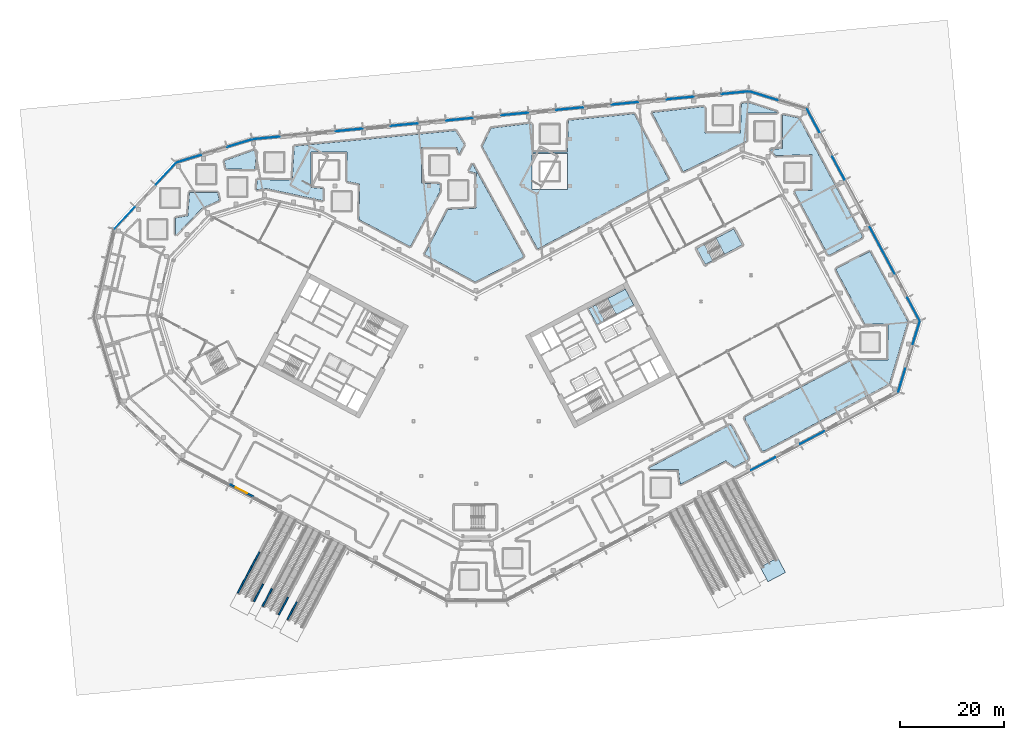
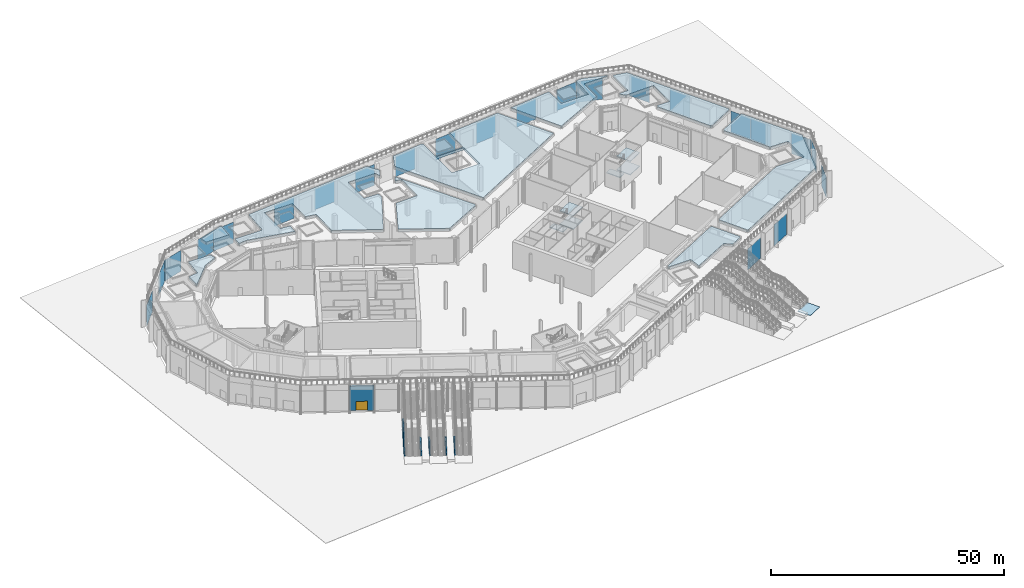
# One storey, part 13 of 57: 23 plates, 16 slabs, 14 walls, 1 door, 1 opening, 10 elements without a shape of their own.
"""IFC4 building model written with IfcOpenShell, lengths in metres."""

from ifc_helpers import new_model, si_unit, direction, frame, frame_2d, origin, origin_2d, place, context, subcontext, project, spatial, polyline, rectangle, outline, extrude, material, layer, layer_set, type_object, element, fill, aggregate, save


model = new_model("IFC4")

# Units and contexts
model_context = context("Model", 3, precision=1e-05, world=origin(), true_north=direction((0.0, 1.0)))
body_context = subcontext(model_context, "Body", "Model", "MODEL_VIEW")
ifc_project = project(units=[si_unit("LENGTHUNIT", "METRE"), si_unit("AREAUNIT", "SQUARE_METRE"), si_unit("VOLUMEUNIT", "CUBIC_METRE"), si_unit("PLANEANGLEUNIT", "RADIAN"), si_unit("MASSUNIT", "GRAM", prefix="KILO")], contexts=[model_context])

# Site, building, storey
site_placement = place(None, origin())
site = spatial("IfcSite", under=ifc_project, at=site_placement, CompositionType="ELEMENT")
building_placement = place(site_placement, origin())
building = spatial("IfcBuilding", under=site, at=building_placement, Name="Cormorant Relay Tower", CompositionType="ELEMENT")
storey_placement = place(building_placement, origin())
storey = spatial("IfcBuildingStorey", under=building, at=storey_placement, Name="L00", CompositionType="ELEMENT", Elevation=0.0)

# Curtain wall, plates
ifc_material_1 = material(Name="Aluminium 6063-T6 anodised bronze", Category="aluminium")
ifc_layer_1 = layer(ifc_material_1, 0.199951171875)
ifc_layer_set_1 = layer_set([ifc_layer_1], Name="CW2 base storefront")
curtain_wall_type = type_object("IfcCurtainWallType", Name="CW2 base storefront", PredefinedType="NOTDEFINED", material=ifc_layer_set_1)
curtain_wall_1_placement = place(storey_placement, origin())
curtain_wall_1 = element("IfcCurtainWall", 1, at=curtain_wall_1_placement, inside=storey, type_object=curtain_wall_type, Name="CW2 curtain wall 1", PredefinedType="NOTDEFINED")
ifc_material_2 = material(Name="Tinted laminated glass", Category="glass")
ifc_layer_2 = layer(ifc_material_2, 0.0400390625)
ifc_layer_set_2 = layer_set([ifc_layer_2], Name="CW2 tinted vision panel 5400 module")
plate_type = type_object("IfcPlateType", Name="CW2 tinted vision panel 5400 module", PredefinedType="CURTAIN_PANEL", material=ifc_layer_set_2)
plate_1_placement = place(storey_placement, frame((54.9765625, -8.166015625, 0.0), z_axis=(0.0, 0.0, 1.0), x_axis=(0.882947592859, 0.469471562786, 0.0)))
plate_1 = element("IfcPlate", 2, at=plate_1_placement, type_object=plate_type, Name="CW2 panel V10", PredefinedType="CURTAIN_PANEL", context=body_context, shape_type="SweptSolid", body=[
    extrude(rectangle(XDim=5.17041015625, YDim=0.0400390625, at=origin_2d()), origin(), (0.0, 0.0, 1.0), 5.5),
])
plate_2_placement = place(storey_placement, frame((64.3720703125, -3.17041015625, 0.0), z_axis=(0.0, 0.0, 1.0), x_axis=(0.882947592859, 0.469471562786, 0.0)))
plate_2 = element("IfcPlate", 3, at=plate_2_placement, type_object=plate_type, Name="CW2 panel V12", PredefinedType="CURTAIN_PANEL", context=body_context, shape_type="SweptSolid", body=[
    extrude(rectangle(XDim=5.17041015625, YDim=0.0400390625, at=origin_2d()), origin(), (0.0, 0.0, 1.0), 5.5),
])
aggregate(curtain_wall_1, [plate_1, plate_2])

curtain_wall_2_placement = place(storey_placement, origin())
curtain_wall_2 = element("IfcCurtainWall", 4, at=curtain_wall_2_placement, inside=storey, type_object=curtain_wall_type, Name="CW2 curtain wall 2", PredefinedType="NOTDEFINED")
plate_3_placement = place(storey_placement, frame((81.514892578125, 7.844482421875, 0.0), z_axis=(0.0, 0.0, 1.0), x_axis=(0.292371704723, 0.956304755963, 0.0)))
plate_3 = element("IfcPlate", 5, at=plate_3_placement, type_object=plate_type, Name="CW2 panel V00", PredefinedType="CURTAIN_PANEL", context=body_context, shape_type="SweptSolid", body=[
    extrude(rectangle(XDim=4.577880859375, YDim=0.0400390625, at=origin_2d()), origin(), (0.0, 0.0, 1.0), 5.5),
])
plate_4_placement = place(storey_placement, frame((84.29052734375, 16.923095703125, 0.0), z_axis=(0.0, 0.0, 1.0), x_axis=(0.292371704723, 0.956304755963, 0.0)))
plate_4 = element("IfcPlate", 6, at=plate_4_placement, type_object=plate_type, Name="CW2 panel V02", PredefinedType="CURTAIN_PANEL", context=body_context, shape_type="SweptSolid", body=[
    extrude(rectangle(XDim=4.65283203125, YDim=0.0400390625, at=origin_2d()), origin(), (0.0, 0.0, 1.0), 5.5),
])
aggregate(curtain_wall_2, [plate_3, plate_4])

curtain_wall_3_placement = place(storey_placement, origin())
curtain_wall_3 = element("IfcCurtainWall", 7, at=curtain_wall_3_placement, inside=storey, type_object=curtain_wall_type, Name="CW2 curtain wall 3", PredefinedType="NOTDEFINED")
plate_5_placement = place(storey_placement, frame((83.77099609375, 21.416748046875, 0.0), z_axis=(0.0, 0.0, 1.0), x_axis=(-0.469471562786, 0.882947592859, 0.0)))
plate_5 = element("IfcPlate", 8, at=plate_5_placement, type_object=plate_type, Name="CW2 panel V00", PredefinedType="CURTAIN_PANEL", context=body_context, shape_type="SweptSolid", body=[
    extrude(rectangle(XDim=4.95458984375, YDim=0.0400390625, at=origin_2d()), origin(), (0.0, 0.0, 1.0), 5.5),
])
plate_6_placement = place(storey_placement, frame((78.978271484375, 30.430908203125, 0.0), z_axis=(0.0, 0.0, 1.0), x_axis=(-0.469471562786, 0.882947592859, 0.0)))
plate_6 = element("IfcPlate", 9, at=plate_6_placement, type_object=plate_type, Name="CW2 panel V02", PredefinedType="CURTAIN_PANEL", context=body_context, shape_type="SweptSolid", body=[
    extrude(rectangle(XDim=4.95458984375, YDim=0.0400390625, at=origin_2d()), origin(), (0.0, 0.0, 1.0), 5.5),
])
plate_7_placement = place(storey_placement, frame((76.581787109375, 34.93798828125, 0.0), z_axis=(0.0, 0.0, 1.0), x_axis=(-0.469471562786, 0.882947592859, 0.0)))
plate_7 = element("IfcPlate", 10, at=plate_7_placement, type_object=plate_type, Name="CW2 panel V03", PredefinedType="CURTAIN_PANEL", context=body_context, shape_type="SweptSolid", body=[
    extrude(rectangle(XDim=4.95458984375, YDim=0.0400390625, at=origin_2d()), origin(), (0.0, 0.0, 1.0), 5.5),
])
plate_8_placement = place(storey_placement, frame((69.392333984375, 48.458984375, 0.0), z_axis=(0.0, 0.0, 1.0), x_axis=(-0.469471562786, 0.882947592859, 0.0)))
plate_8 = element("IfcPlate", 11, at=plate_8_placement, type_object=plate_type, Name="CW2 panel V06", PredefinedType="CURTAIN_PANEL", context=body_context, shape_type="SweptSolid", body=[
    extrude(rectangle(XDim=4.95458984375, YDim=0.0400390625, at=origin_2d()), origin(), (0.0, 0.0, 1.0), 5.5),
])
plate_9_placement = place(storey_placement, frame((64.581787109375, 57.50634765625, 0.0), z_axis=(0.0, 0.0, 1.0), x_axis=(-0.469471562786, 0.882947592859, 0.0)))
plate_9 = element("IfcPlate", 12, at=plate_9_placement, type_object=plate_type, Name="CW2 panel V08", PredefinedType="CURTAIN_PANEL", context=body_context, shape_type="SweptSolid", body=[
    extrude(rectangle(XDim=5.029541015625, YDim=0.0400390625, at=origin_2d()), origin(), (0.0, 0.0, 1.0), 5.5),
])
aggregate(curtain_wall_3, [plate_5, plate_6, plate_7, plate_8, plate_9])

# Curtain wall, plate
curtain_wall_4_placement = place(storey_placement, origin())
curtain_wall_4 = element("IfcCurtainWall", 13, at=curtain_wall_4_placement, inside=storey, type_object=curtain_wall_type, Name="CW2 curtain wall 4", PredefinedType="NOTDEFINED")
plate_10_placement = place(storey_placement, frame((55.033203125, 62.291259765625, 0.0), z_axis=(0.0, 0.0, 1.0), x_axis=(-0.956304755963, 0.292371704723, 0.0)))
plate_10 = element("IfcPlate", 14, at=plate_10_placement, type_object=plate_type, Name="CW2 panel V01", PredefinedType="CURTAIN_PANEL", context=body_context, shape_type="SweptSolid", body=[
    extrude(rectangle(XDim=5.725341796875, YDim=0.0400390625, at=origin_2d()), origin(), (0.0, 0.0, 1.0), 5.5),
])
aggregate(curtain_wall_4, [plate_10])

# Curtain wall, plates
curtain_wall_5_placement = place(storey_placement, origin())
curtain_wall_5 = element("IfcCurtainWall", 15, at=curtain_wall_5_placement, inside=storey, type_object=curtain_wall_type, Name="CW2 curtain wall 5", PredefinedType="NOTDEFINED")
plate_11_placement = place(storey_placement, frame((49.64599609375, 62.87451171875, 0.0), z_axis=(0.0, 0.0, 1.0), x_axis=(-0.995387160697, -0.095939565976, 0.0)))
plate_11 = element("IfcPlate", 16, at=plate_11_placement, type_object=plate_type, Name="CW2 panel V00", PredefinedType="CURTAIN_PANEL", context=body_context, shape_type="SweptSolid", body=[
    extrude(rectangle(XDim=5.158203125, YDim=0.0400390625, at=origin_2d()), origin(), (0.0, 0.0, 1.0), 5.5),
])
plate_12_placement = place(storey_placement, frame((39.078369140625, 61.85595703125, 0.0), z_axis=(0.0, 0.0, 1.0), x_axis=(-0.995387160697, -0.095939565976, 0.0)))
plate_12 = element("IfcPlate", 17, at=plate_12_placement, type_object=plate_type, Name="CW2 panel V02", PredefinedType="CURTAIN_PANEL", context=body_context, shape_type="SweptSolid", body=[
    extrude(rectangle(XDim=5.158203125, YDim=0.0400390625, at=origin_2d()), origin(), (0.0, 0.0, 1.0), 5.5),
])
plate_13_placement = place(storey_placement, frame((28.510498046875, 60.83740234375, 0.0), z_axis=(0.0, 0.0, 1.0), x_axis=(-0.995387160697, -0.095939565976, 0.0)))
plate_13 = element("IfcPlate", 18, at=plate_13_placement, type_object=plate_type, Name="CW2 panel V04", PredefinedType="CURTAIN_PANEL", context=body_context, shape_type="SweptSolid", body=[
    extrude(rectangle(XDim=5.158203125, YDim=0.0400390625, at=origin_2d()), origin(), (0.0, 0.0, 1.0), 5.5),
])
plate_14_placement = place(storey_placement, frame((17.943115234375, 59.81884765625, 0.0), z_axis=(0.0, 0.0, 1.0), x_axis=(-0.995387160697, -0.095939565976, 0.0)))
plate_14 = element("IfcPlate", 19, at=plate_14_placement, type_object=plate_type, Name="CW2 panel V06", PredefinedType="CURTAIN_PANEL", context=body_context, shape_type="SweptSolid", body=[
    extrude(rectangle(XDim=5.158203125, YDim=0.0400390625, at=origin_2d()), origin(), (0.0, 0.0, 1.0), 5.5),
])
plate_15_placement = place(storey_placement, frame((7.37548828125, 58.80029296875, 0.0), z_axis=(0.0, 0.0, 1.0), x_axis=(-0.995387160697, -0.095939565976, 0.0)))
plate_15 = element("IfcPlate", 20, at=plate_15_placement, type_object=plate_type, Name="CW2 panel V08", PredefinedType="CURTAIN_PANEL", context=body_context, shape_type="SweptSolid", body=[
    extrude(rectangle(XDim=5.158203125, YDim=0.0400390625, at=origin_2d()), origin(), (0.0, 0.0, 1.0), 5.5),
])
plate_16_placement = place(storey_placement, frame((-3.1923828125, 57.78173828125, 0.0), z_axis=(0.0, 0.0, 1.0), x_axis=(-0.995387160697, -0.095939565976, 0.0)))
plate_16 = element("IfcPlate", 21, at=plate_16_placement, type_object=plate_type, Name="CW2 panel V10", PredefinedType="CURTAIN_PANEL", context=body_context, shape_type="SweptSolid", body=[
    extrude(rectangle(XDim=5.158203125, YDim=0.0400390625, at=origin_2d()), origin(), (0.0, 0.0, 1.0), 5.5),
])
plate_17_placement = place(storey_placement, frame((-13.760009765625, 56.76318359375, 0.0), z_axis=(0.0, 0.0, 1.0), x_axis=(-0.995387160697, -0.095939565976, 0.0)))
plate_17 = element("IfcPlate", 22, at=plate_17_placement, type_object=plate_type, Name="CW2 panel V12", PredefinedType="CURTAIN_PANEL", context=body_context, shape_type="SweptSolid", body=[
    extrude(rectangle(XDim=5.158203125, YDim=0.0400390625, at=origin_2d()), origin(), (0.0, 0.0, 1.0), 5.5),
])
plate_18_placement = place(storey_placement, frame((-24.32763671875, 55.74462890625, 0.0), z_axis=(0.0, 0.0, 1.0), x_axis=(-0.995387160697, -0.095939565976, 0.0)))
plate_18 = element("IfcPlate", 23, at=plate_18_placement, type_object=plate_type, Name="CW2 panel V14", PredefinedType="CURTAIN_PANEL", context=body_context, shape_type="SweptSolid", body=[
    extrude(rectangle(XDim=5.158203125, YDim=0.0400390625, at=origin_2d()), origin(), (0.0, 0.0, 1.0), 5.5),
])
plate_19_placement = place(storey_placement, frame((-40.21630859375, 54.213134765625, 0.0), z_axis=(0.0, 0.0, 1.0), x_axis=(-0.995387160697, -0.095939565976, 0.0)))
plate_19 = element("IfcPlate", 24, at=plate_19_placement, type_object=plate_type, Name="CW2 panel V17", PredefinedType="CURTAIN_PANEL", context=body_context, shape_type="SweptSolid", body=[
    extrude(rectangle(XDim=5.2333984375, YDim=0.0400390625, at=origin_2d()), origin(), (0.0, 0.0, 1.0), 5.5),
])
aggregate(curtain_wall_5, [plate_11, plate_12, plate_13, plate_14, plate_15, plate_16, plate_17, plate_18, plate_19])

curtain_wall_6_placement = place(storey_placement, origin())
curtain_wall_6 = element("IfcCurtainWall", 25, at=curtain_wall_6_placement, inside=storey, type_object=curtain_wall_type, Name="CW2 curtain wall 6", PredefinedType="NOTDEFINED")
plate_20_placement = place(storey_placement, frame((-45.262451171875, 53.216064453125, 0.0), z_axis=(0.0, 0.0, 1.0), x_axis=(-0.956304755963, -0.292371704723, 0.0)))
plate_20 = element("IfcPlate", 26, at=plate_20_placement, type_object=plate_type, Name="CW2 panel V00", PredefinedType="CURTAIN_PANEL", context=body_context, shape_type="SweptSolid", body=[
    extrude(rectangle(XDim=4.947998046875, YDim=0.0400390625, at=origin_2d()), origin(), (0.0, 0.0, 1.0), 5.5),
])
plate_21_placement = place(storey_placement, frame((-55.048583984375, 50.22412109375, 0.0), z_axis=(0.0, 0.0, 1.0), x_axis=(-0.956304755963, -0.292371704723, 0.0)))
plate_21 = element("IfcPlate", 27, at=plate_21_placement, type_object=plate_type, Name="CW2 panel V02", PredefinedType="CURTAIN_PANEL", context=body_context, shape_type="SweptSolid", body=[
    extrude(rectangle(XDim=5.02294921875, YDim=0.0400390625, at=origin_2d()), origin(), (0.0, 0.0, 1.0), 5.5),
])
aggregate(curtain_wall_6, [plate_20, plate_21])

curtain_wall_7_placement = place(storey_placement, origin())
curtain_wall_7 = element("IfcCurtainWall", 28, at=curtain_wall_7_placement, inside=storey, type_object=curtain_wall_type, Name="CW2 curtain wall 7", PredefinedType="NOTDEFINED")
plate_22_placement = place(storey_placement, frame((-59.425537109375, 47.37548828125, 0.0), z_axis=(0.0, 0.0, 1.0), x_axis=(-0.681998360062, -0.731353701619, 0.0)))
plate_22 = element("IfcPlate", 29, at=plate_22_placement, type_object=plate_type, Name="CW2 panel V00", PredefinedType="CURTAIN_PANEL", context=body_context, shape_type="SweptSolid", body=[
    extrude(rectangle(XDim=5.6171875, YDim=0.0400390625, at=origin_2d()), origin(), (0.0, 0.0, 1.0), 5.5),
])
plate_23_placement = place(storey_placement, frame((-67.3173828125, 38.91259765625, 0.0), z_axis=(0.0, 0.0, 1.0), x_axis=(-0.681998360062, -0.731353701619, 0.0)))
plate_23 = element("IfcPlate", 30, at=plate_23_placement, type_object=plate_type, Name="CW2 panel V02", PredefinedType="CURTAIN_PANEL", context=body_context, shape_type="SweptSolid", body=[
    extrude(rectangle(XDim=5.692138671875, YDim=0.0400390625, at=origin_2d()), origin(), (0.0, 0.0, 1.0), 5.5),
])
aggregate(curtain_wall_7, [plate_22, plate_23])

# Stair, slabs
ifc_material_3 = material(Name="Concrete 40 MPa", Category="concrete")
stair_type_1 = type_object("IfcStairType", Name="Exit stair 1500", PredefinedType="HALF_TURN_STAIR", material=ifc_material_3)
stair_1_placement = place(storey_placement, origin())
stair_1 = element("IfcStair", 31, at=stair_1_placement, inside=storey, type_object=stair_type_1, Name="L00 Stair", PredefinedType="HALF_TURN_STAIR")
ifc_material_4 = material(Name="Concrete 40 MPa", Category="concrete")
ifc_layer_3 = layer(ifc_material_4, 0.199951171875)
ifc_layer_set_3 = layer_set([ifc_layer_3], Name="Exit stair landing 200")
slab_type_1 = type_object("IfcSlabType", Name="Exit stair landing 200", PredefinedType="LANDING", material=ifc_layer_set_3)
slab_1_placement = place(storey_placement, frame((0.0, 0.0, 1.550048828125)))
slab_1 = element("IfcSlab", 32, at=slab_1_placement, type_object=slab_type_1, Name="B2 landing 1", PredefinedType="LANDING", context=body_context, shape_type="SweptSolid", body=[
    extrude(outline(polyline([(26.817138671875, 20.431396484375), (30.19873046875, 22.2294921875), (28.5791015625, 25.275634765625), (25.197265625, 23.4775390625), (26.817138671875, 20.431396484375)])), origin(), (0.0, 0.0, 1.0), 0.199951171875),
])
slab_2_placement = place(storey_placement, frame((0.0, 0.0, 3.300048828125)))
slab_2 = element("IfcSlab", 33, at=slab_2_placement, type_object=slab_type_1, Name="B2 landing 2", PredefinedType="LANDING", context=body_context, shape_type="SweptSolid", body=[
    extrude(outline(polyline([(23.13525390625, 18.4736328125), (24.592041015625, 19.248291015625), (22.972412109375, 22.29443359375), (21.515380859375, 21.519775390625), (23.13525390625, 18.4736328125)])), origin(), (0.0, 0.0, 1.0), 0.199951171875),
])
slab_3_placement = place(storey_placement, frame((0.0, 0.0, 5.050048828125)))
slab_3 = element("IfcSlab", 34, at=slab_3_placement, type_object=slab_type_1, Name="B2 landing 3", PredefinedType="LANDING", context=body_context, shape_type="SweptSolid", body=[
    extrude(outline(polyline([(26.817138671875, 20.431396484375), (30.19873046875, 22.2294921875), (28.5791015625, 25.275634765625), (25.197265625, 23.4775390625), (26.817138671875, 20.431396484375)])), origin(), (0.0, 0.0, 1.0), 0.199951171875),
])
aggregate(stair_1, [slab_1, slab_2, slab_3])

stair_2_placement = place(storey_placement, origin())
stair_2 = element("IfcStair", 35, at=stair_2_placement, inside=storey, type_object=stair_type_1, Name="L00 Stair", PredefinedType="HALF_TURN_STAIR")
slab_4_placement = place(storey_placement, frame((0.0, 0.0, 1.550048828125)))
slab_4 = element("IfcSlab", 36, at=slab_4_placement, type_object=slab_type_1, Name="RB1 landing 1", PredefinedType="LANDING", context=body_context, shape_type="SweptSolid", body=[
    extrude(outline(polyline([(47.56005859375, 31.956787109375), (50.941650390625, 33.7548828125), (49.322021484375, 36.801025390625), (45.940185546875, 35.0029296875), (47.56005859375, 31.956787109375)])), origin(), (0.0, 0.0, 1.0), 0.199951171875),
])
slab_5_placement = place(storey_placement, frame((0.0, 0.0, 3.300048828125)))
slab_5 = element("IfcSlab", 37, at=slab_5_placement, type_object=slab_type_1, Name="RB1 landing 2", PredefinedType="LANDING", context=body_context, shape_type="SweptSolid", body=[
    extrude(outline(polyline([(43.8779296875, 29.9990234375), (45.3349609375, 30.773681640625), (43.71533203125, 33.81982421875), (42.25830078125, 33.045166015625), (43.8779296875, 29.9990234375)])), origin(), (0.0, 0.0, 1.0), 0.199951171875),
])
slab_6_placement = place(storey_placement, frame((0.0, 0.0, 5.050048828125)))
slab_6 = element("IfcSlab", 38, at=slab_6_placement, type_object=slab_type_1, Name="RB1 landing 3", PredefinedType="LANDING", context=body_context, shape_type="SweptSolid", body=[
    extrude(outline(polyline([(47.56005859375, 31.956787109375), (50.941650390625, 33.7548828125), (49.322021484375, 36.801025390625), (45.940185546875, 35.0029296875), (47.56005859375, 31.956787109375)])), origin(), (0.0, 0.0, 1.0), 0.199951171875),
])
aggregate(stair_2, [slab_4, slab_5, slab_6])

# Slabs
ifc_material_5 = material(Name="Planting soil")
ifc_layer_4 = layer(ifc_material_5, 0.60009765625)
ifc_layer_set_4 = layer_set([ifc_layer_4], Name="PLANTER bed")
slab_type_2 = type_object("IfcSlabType", Name="PLANTER bed", PredefinedType="FLOOR", material=ifc_layer_set_4)
slab_7_placement = place(storey_placement, frame((0.0, 0.0, 7.0)))
element("IfcSlab", 39, at=slab_7_placement, inside=storey, type_object=slab_type_2, Name="PLANTER 05", PredefinedType="FLOOR", context=body_context, shape_type="SweptSolid", body=[
    extrude(outline(polyline([(39.05810546875, -12.148193359375), (47.7939453125, -7.6083984375), (49.4580078125, -8.755615234375), (52.04931640625, -7.3779296875), (52.154296875, -7.034912109375), (48.87109375, -0.860595703125), (48.5283203125, -0.755859375), (33.19287109375, -8.909912109375), (33.286376953125, -9.284912109375), (38.7294921875, -9.308349609375), (39.05810546875, -12.148193359375)])), origin(), (0.0, 0.0, 1.0), 0.60009765625),
])
slab_8_placement = place(storey_placement, frame((0.0, 0.0, 7.0)))
element("IfcSlab", 40, at=slab_8_placement, inside=storey, type_object=slab_type_2, Name="PLANTER 07", PredefinedType="FLOOR", context=body_context, shape_type="SweptSolid", body=[
    extrude(outline(polyline([(55.056884765625, -5.7783203125), (79.1396484375, 7.158447265625), (82.66552734375, 19.085205078125), (75.404052734375, 32.497802734375), (69.0537109375, 29.247802734375), (68.94970703125, 28.9072265625), (74.414794921875, 18.6328125), (78.86083984375, 18.5341796875), (78.885986328125, 11.744873046875), (71.91455078125, 11.68115234375), (51.53662109375, 0.84375), (51.431884765625, 0.500732421875), (54.714599609375, -5.673583984375), (55.056884765625, -5.7783203125)])), origin(), (0.0, 0.0, 1.0), 0.60009765625),
])
slab_9_placement = place(storey_placement, frame((0.0, 0.0, 7.0)))
element("IfcSlab", 41, at=slab_9_placement, inside=storey, type_object=slab_type_2, Name="PLANTER 08", PredefinedType="FLOOR", context=body_context, shape_type="SweptSolid", body=[
    extrude(outline(polyline([(-0.18408203125, 26.658203125), (8.951904296875, 31.320556640625), (9.055419921875, 31.65869140625), (-0.677734375, 49.240966796875), (-1.408203125, 47.8798828125), (0.025634765625, 47.510009765625), (0.000732421875, 40.780029296875), (-5.412841796875, 40.540283203125), (-9.8623046875, 31.932373046875), (-0.18408203125, 26.658203125)])), origin(), (0.0, 0.0, 1.0), 0.60009765625),
])
slab_10_placement = place(storey_placement, frame((0.0, 0.0, 7.0)))
element("IfcSlab", 42, at=slab_10_placement, inside=storey, type_object=slab_type_2, Name="PLANTER 09", PredefinedType="FLOOR", context=body_context, shape_type="SweptSolid", body=[
    extrude(outline(polyline([(67.693115234375, 31.810546875), (73.867431640625, 35.093505859375), (73.971923828125, 35.435791015625), (61.821533203125, 58.0400390625), (58.646240234375, 58.66455078125), (58.6533203125, 52.1875), (56.534912109375, 52.1025390625), (56.357177734375, 51.8935546875), (57.382568359375, 50.823486328125), (64.357666015625, 51.03125), (64.357666015625, 44.172119140625), (61.23828125, 44.148193359375), (61.030029296875, 43.8017578125), (67.35009765625, 31.915283203125), (67.693115234375, 31.810546875)])), origin(), (0.0, 0.0, 1.0), 0.60009765625),
])
slab_11_placement = place(storey_placement, frame((0.0, 0.0, 7.0)))
element("IfcSlab", 43, at=slab_11_placement, inside=storey, type_object=slab_type_2, Name="PLANTER 10", PredefinedType="FLOOR", context=body_context, shape_type="SweptSolid", body=[
    extrude(outline(polyline([(11.782958984375, 32.95654296875), (36.87060546875, 46.2958984375), (30.24658203125, 58.856689453125), (17.658203125, 57.60791015625), (17.473876953125, 51.551025390625), (10.685546875, 51.576171875), (10.66162109375, 56.760986328125), (10.388916015625, 57.008544921875), (2.8701171875, 56.109619140625), (1.19921875, 52.615966796875), (11.782958984375, 32.95654296875)]), holes=[polyline([(17.479248046875, 44.35107421875), (17.539794921875, 51.228759765625), (10.684326171875, 51.228759765625), (10.684326171875, 44.376220703125), (17.479248046875, 44.35107421875)])]), origin(), (0.0, 0.0, 1.0), 0.60009765625),
])
slab_12_placement = place(storey_placement, frame((0.0, 0.0, 7.0)))
element("IfcSlab", 44, at=slab_12_placement, inside=storey, type_object=slab_type_2, Name="PLANTER 11", PredefinedType="FLOOR", context=body_context, shape_type="SweptSolid", body=[
    extrude(outline(polyline([(-12.624755859375, 33.40380859375), (-6.87939453125, 44.063232421875), (-6.975830078125, 45.43798828125), (-10.45166015625, 45.5791015625), (-10.45166015625, 52.421875), (-3.72021484375, 52.44677734375), (-3.287353515625, 51.043701171875), (-2.28662109375, 52.972900390625), (-3.9541015625, 55.628662109375), (-34.823486328125, 52.6533203125), (-35.2099609375, 46.168212890625), (-41.94970703125, 46.257080078125), (-42.074951171875, 44.297119140625), (-40.177001953125, 44.548828125), (-29.357421875, 42.2138671875), (-29.329833984375, 44.546630859375), (-31.61083984375, 44.743408203125), (-31.585693359375, 51.519775390625), (-24.734375, 51.519775390625), (-24.7109375, 45.898193359375), (-22.305908203125, 45.41748046875), (-22.44140625, 38.61376953125), (-12.624755859375, 33.40380859375)])), origin(), (0.0, 0.0, 1.0), 0.60009765625),
])
slab_13_placement = place(storey_placement, frame((0.0, 0.0, 7.0)))
element("IfcSlab", 45, at=slab_13_placement, inside=storey, type_object=slab_type_2, Name="PLANTER 12", PredefinedType="FLOOR", context=body_context, shape_type="SweptSolid", body=[
    extrude(outline(polyline([(-57.419677734375, 35.6640625), (-52.4423828125, 40.810302734375), (-49.19189453125, 42.27490234375), (-49.509521484375, 43.794189453125), (-54.89453125, 43.826904296875), (-55.211669921875, 39.331298828125), (-57.573974609375, 38.91064453125), (-57.573974609375, 35.814697265625), (-57.419677734375, 35.6640625)])), origin(), (0.0, 0.0, 1.0), 0.60009765625),
])
slab_14_placement = place(storey_placement, frame((0.0, 0.0, 7.0)))
element("IfcSlab", 46, at=slab_14_placement, inside=storey, type_object=slab_type_2, Name="PLANTER 13", PredefinedType="FLOOR", context=body_context, shape_type="SweptSolid", body=[
    extrude(outline(polyline([(39.642578125, 47.759521484375), (51.753662109375, 53.63525390625), (51.77734375, 58.9736328125), (57.573486328125, 58.997314453125), (57.6943359375, 59.216796875), (52.159912109375, 61.004150390625), (50.79296875, 60.810546875), (50.6083984375, 55.14013671875), (43.820556640625, 55.165283203125), (43.796630859375, 59.95458984375), (43.5234375, 60.202880859375), (33.686767578125, 59.08447265625), (39.642578125, 47.759521484375)])), origin(), (0.0, 0.0, 1.0), 0.60009765625),
])
slab_15_placement = place(storey_placement, frame((0.0, 0.0, 7.0)))
element("IfcSlab", 47, at=slab_15_placement, inside=storey, type_object=slab_type_2, Name="PLANTER 14", PredefinedType="FLOOR", context=body_context, shape_type="SweptSolid", body=[
    extrude(outline(polyline([(-42.351318359375, 48.1904296875), (-42.083740234375, 51.646484375), (-42.525146484375, 51.883544921875), (-48.218017578125, 49.8623046875), (-47.900634765625, 48.289306640625), (-42.351318359375, 48.1904296875)])), origin(), (0.0, 0.0, 1.0), 0.60009765625),
])

# Stair, slab
ifc_material_6 = material(Name="Concrete 40 MPa", Category="concrete")
stair_type_2 = type_object("IfcStairType", Name="Street stair 3200", PredefinedType="STRAIGHT_RUN_STAIR", material=ifc_material_6)
stair_3_placement = place(storey_placement, origin())
stair_3 = element("IfcStair", 48, at=stair_3_placement, inside=storey, type_object=stair_type_2, Name="Street stair 1C", PredefinedType="STRAIGHT_RUN_STAIR")
ifc_material_7 = material(Name="Concrete 40 MPa", Category="concrete")
ifc_layer_5 = layer(ifc_material_7, 0.14990234375)
ifc_layer_set_5 = layer_set([ifc_layer_5], Name="Stair foot slab 150")
slab_type_3 = type_object("IfcSlabType", Name="Stair foot slab 150", PredefinedType="LANDING", material=ifc_layer_set_5)
slab_16_placement = place(storey_placement, frame((0.0, 0.0, -0.14990234375)))
slab_16 = element("IfcSlab", 49, at=slab_16_placement, type_object=slab_type_3, Name="Street stair 1C foot slab", PredefinedType="LANDING", context=body_context, shape_type="SweptSolid", body=[
    extrude(outline(polyline([(54.387939453125, -27.936279296875), (55.890380859375, -30.761962890625), (59.24560546875, -28.977783203125), (57.7431640625, -26.15234375), (54.387939453125, -27.936279296875)])), origin(), (0.0, 0.0, 1.0), 0.14990234375),
])
aggregate(stair_3, [slab_16])

# Wall, opening, door
ifc_material_8 = material(Name="Concrete 40 MPa with granite cladding", Category="masonry")
ifc_layer_6 = layer(ifc_material_8, 0.39990234375)
ifc_layer_set_6 = layer_set([ifc_layer_6], Name="Base facade wall 400")
wall_type_1 = type_object("IfcWallType", Name="Base facade wall 400", PredefinedType="SOLIDWALL", material=ifc_layer_set_6)
wall_1_placement = place(storey_placement, frame((-47.257080078125, -12.021240234375, 0.0), z_axis=(0.0, 0.0, 1.0), x_axis=(0.882945827299, -0.469474883307, 0.0)))
wall_1 = element("IfcWall", 50, at=wall_1_placement, inside=storey, type_object=wall_type_1, Name="Base facade wall", PredefinedType="SOLIDWALL", context=body_context, shape_type="SweptSolid", body=[
    extrude(rectangle(XDim=5.24853515625, YDim=0.39990234375, at=frame_2d((2.624267578125, 0.0))), origin(), (0.0, 0.0, 1.0), 6.3701171875),
])
opening_placement = place(wall_1_placement, frame((1.424560546875, 0.0, 0.0)))
opening = element("IfcOpeningElement", 51, at=opening_placement, cuts=wall_1, Name="Opening PD6-008", PredefinedType="OPENING", context=body_context, shape_type="SweptSolid", body=[
    extrude(rectangle(XDim=2.39990234375, YDim=2.39990234375, at=frame_2d((1.199951171875, 1.199951171875))), frame((0.0, 0.2099609375, 0.0), z_axis=(0.0, -1.0, 0.0), x_axis=(1.0, 0.0, 0.0)), (0.0, 0.0, 1.0), 0.419921875),
])
ifc_material_9 = material(Name="Bronze framed glass door", Category="glass")
door_type = type_object("IfcDoorType", Name="Door entrance double 2400", OperationType="DOUBLE_DOOR_SINGLE_SWING", PredefinedType="DOOR", material=ifc_material_9)
door_placement = place(opening_placement, frame((2.39990234375, 0.0, 0.0), z_axis=(0.0, 0.0, 1.0), x_axis=(-1.0, 0.0, 0.0)))
door = element("IfcDoor", 52, at=door_placement, inside=storey, type_object=door_type, Name="Entrance door", OperationType="DOUBLE_DOOR_SINGLE_SWING", OverallHeight=2.39990234375, OverallWidth=2.39990234375, PredefinedType="DOOR", context=body_context, shape_type="SweptSolid", body=[
    extrude(rectangle(XDim=2.39990234375, YDim=2.39990234375, at=frame_2d((1.199951171875, 1.199951171875))), frame((0.0, 0.02490234375, 0.0), z_axis=(0.0, -1.0, 0.0), x_axis=(1.0, 0.0, 0.0)), (0.0, 0.0, 1.0), 0.050048828125),
])
fill(opening, door)

# Walls
ifc_material_10 = material(Name="Concrete 40 MPa with granite cladding", Category="masonry")
ifc_layer_7 = layer(ifc_material_10, 0.300048828125)
ifc_layer_set_7 = layer_set([ifc_layer_7], Name="Stair cheek wall 300")
wall_type_2 = type_object("IfcWallType", Name="Stair cheek wall 300", PredefinedType="SOLIDWALL", material=ifc_layer_set_7)
wall_2_placement = place(storey_placement, frame((-41.48095703125, -25.05908203125, 0.0), z_axis=(0.0, 0.0, 1.0), x_axis=(-0.469534519898, -0.882914115089, 0.0)))
element("IfcWall", 53, at=wall_2_placement, inside=storey, type_object=wall_type_2, Name="Stair cheek wall", PredefinedType="SOLIDWALL", context=body_context, shape_type="SweptSolid", body=[
    extrude(rectangle(XDim=1.599853515625, YDim=0.300048828125, at=frame_2d((0.7998046875, 0.0))), origin(), (0.0, 0.0, 1.0), 3.675048828125),
])
wall_3_placement = place(storey_placement, frame((-42.232177734375, -26.4716796875, 0.0), z_axis=(0.0, 0.0, 1.0), x_axis=(-0.469471267677, -0.882947749771, 0.0)))
element("IfcWall", 54, at=wall_3_placement, inside=storey, type_object=wall_type_2, Name="Stair cheek wall", PredefinedType="SOLIDWALL", context=body_context, shape_type="SweptSolid", body=[
    extrude(rectangle(XDim=1.60009765625, YDim=0.300048828125, at=frame_2d((0.800048828125, 0.0))), origin(), (0.0, 0.0, 1.0), 3.5869140625),
])
wall_4_placement = place(storey_placement, frame((-42.9833984375, -27.884521484375, 0.0), z_axis=(0.0, 0.0, 1.0), x_axis=(-0.469433943093, -0.882967594577, 0.0)))
element("IfcWall", 55, at=wall_4_placement, inside=storey, type_object=wall_type_2, Name="Stair cheek wall", PredefinedType="SOLIDWALL", context=body_context, shape_type="SweptSolid", body=[
    extrude(rectangle(XDim=1.89990234375, YDim=0.300048828125, at=frame_2d((0.949951171875, 0.0))), origin(), (0.0, 0.0, 1.0), 3.5),
])
wall_5_placement = place(storey_placement, frame((-43.875244140625, -29.56201171875, 0.0), z_axis=(0.0, 0.0, 1.0), x_axis=(-0.4694808567, -0.882942651134, 0.0)))
element("IfcWall", 56, at=wall_5_placement, inside=storey, type_object=wall_type_2, Name="Stair cheek wall", PredefinedType="SOLIDWALL", context=body_context, shape_type="SweptSolid", body=[
    extrude(rectangle(XDim=1.900146484375, YDim=0.300048828125, at=frame_2d((0.9501953125, 0.0))), origin(), (0.0, 0.0, 1.0), 2.39208984375),
])
wall_6_placement = place(storey_placement, frame((-44.767333984375, -31.23974609375, 0.0), z_axis=(0.0, 0.0, 1.0), x_axis=(-0.469433943093, -0.882967594577, 0.0)))
element("IfcWall", 57, at=wall_6_placement, inside=storey, type_object=wall_type_2, Name="Stair cheek wall", PredefinedType="SOLIDWALL", context=body_context, shape_type="SweptSolid", body=[
    extrude(rectangle(XDim=1.89990234375, YDim=0.300048828125, at=frame_2d((0.949951171875, 0.0))), origin(), (0.0, 0.0, 1.0), 1.282958984375),
])
wall_7_placement = place(storey_placement, frame((-40.784912109375, -31.205322265625, 0.0), z_axis=(0.0, 0.0, 1.0), x_axis=(-0.469534121713, -0.882914326844, 0.0)))
element("IfcWall", 58, at=wall_7_placement, inside=storey, type_object=wall_type_2, Name="Stair cheek wall", PredefinedType="SOLIDWALL", context=body_context, shape_type="SweptSolid", body=[
    extrude(rectangle(XDim=1.89990234375, YDim=0.300048828125, at=frame_2d((0.949951171875, 0.0))), origin(), (0.0, 0.0, 1.0), 2.39208984375),
])
wall_8_placement = place(storey_placement, frame((-41.677001953125, -32.8828125, 0.0), z_axis=(0.0, 0.0, 1.0), x_axis=(-0.4694808567, -0.882942651134, 0.0)))
element("IfcWall", 59, at=wall_8_placement, inside=storey, type_object=wall_type_2, Name="Stair cheek wall", PredefinedType="SOLIDWALL", context=body_context, shape_type="SweptSolid", body=[
    extrude(rectangle(XDim=1.900146484375, YDim=0.300048828125, at=frame_2d((0.9501953125, 0.0))), origin(), (0.0, 0.0, 1.0), 1.282958984375),
])
wall_9_placement = place(storey_placement, frame((-39.107421875, -32.097412109375, 0.0), z_axis=(0.0, 0.0, 1.0), x_axis=(-0.469534121713, -0.882914326844, 0.0)))
element("IfcWall", 60, at=wall_9_placement, inside=storey, type_object=wall_type_2, Name="Stair cheek wall", PredefinedType="SOLIDWALL", context=body_context, shape_type="SweptSolid", body=[
    extrude(rectangle(XDim=1.89990234375, YDim=0.300048828125, at=frame_2d((0.949951171875, 0.0))), origin(), (0.0, 0.0, 1.0), 2.39208984375),
])
wall_10_placement = place(storey_placement, frame((-39.99951171875, -33.77490234375, 0.0), z_axis=(0.0, 0.0, 1.0), x_axis=(-0.469433943093, -0.882967594577, 0.0)))
element("IfcWall", 61, at=wall_10_placement, inside=storey, type_object=wall_type_2, Name="Stair cheek wall", PredefinedType="SOLIDWALL", context=body_context, shape_type="SweptSolid", body=[
    extrude(rectangle(XDim=1.89990234375, YDim=0.300048828125, at=frame_2d((0.949951171875, 0.0))), origin(), (0.0, 0.0, 1.0), 1.282958984375),
])
wall_11_placement = place(storey_placement, frame((-36.01708984375, -33.740478515625, 0.0), z_axis=(0.0, 0.0, 1.0), x_axis=(-0.469433943093, -0.882967594577, 0.0)))
element("IfcWall", 62, at=wall_11_placement, inside=storey, type_object=wall_type_2, Name="Stair cheek wall", PredefinedType="SOLIDWALL", context=body_context, shape_type="SweptSolid", body=[
    extrude(rectangle(XDim=1.89990234375, YDim=0.300048828125, at=frame_2d((0.949951171875, 0.0))), origin(), (0.0, 0.0, 1.0), 2.39208984375),
])
wall_12_placement = place(storey_placement, frame((-36.908935546875, -35.41796875, 0.0), z_axis=(0.0, 0.0, 1.0), x_axis=(-0.4694808567, -0.882942651134, 0.0)))
element("IfcWall", 63, at=wall_12_placement, inside=storey, type_object=wall_type_2, Name="Stair cheek wall", PredefinedType="SOLIDWALL", context=body_context, shape_type="SweptSolid", body=[
    extrude(rectangle(XDim=1.900146484375, YDim=0.300048828125, at=frame_2d((0.9501953125, 0.0))), origin(), (0.0, 0.0, 1.0), 1.282958984375),
])
wall_13_placement = place(storey_placement, frame((-34.33935546875, -34.63232421875, 0.0), z_axis=(0.0, 0.0, 1.0), x_axis=(-0.4694808567, -0.882942651134, 0.0)))
element("IfcWall", 64, at=wall_13_placement, inside=storey, type_object=wall_type_2, Name="Stair cheek wall", PredefinedType="SOLIDWALL", context=body_context, shape_type="SweptSolid", body=[
    extrude(rectangle(XDim=1.900146484375, YDim=0.300048828125, at=frame_2d((0.9501953125, 0.0))), origin(), (0.0, 0.0, 1.0), 2.39208984375),
])
wall_14_placement = place(storey_placement, frame((-35.2314453125, -36.31005859375, 0.0), z_axis=(0.0, 0.0, 1.0), x_axis=(-0.469433943093, -0.882967594577, 0.0)))
element("IfcWall", 65, at=wall_14_placement, inside=storey, type_object=wall_type_2, Name="Stair cheek wall", PredefinedType="SOLIDWALL", context=body_context, shape_type="SweptSolid", body=[
    extrude(rectangle(XDim=1.89990234375, YDim=0.300048828125, at=frame_2d((0.949951171875, 0.0))), origin(), (0.0, 0.0, 1.0), 1.282958984375),
])

save(model, "model.ifc")
